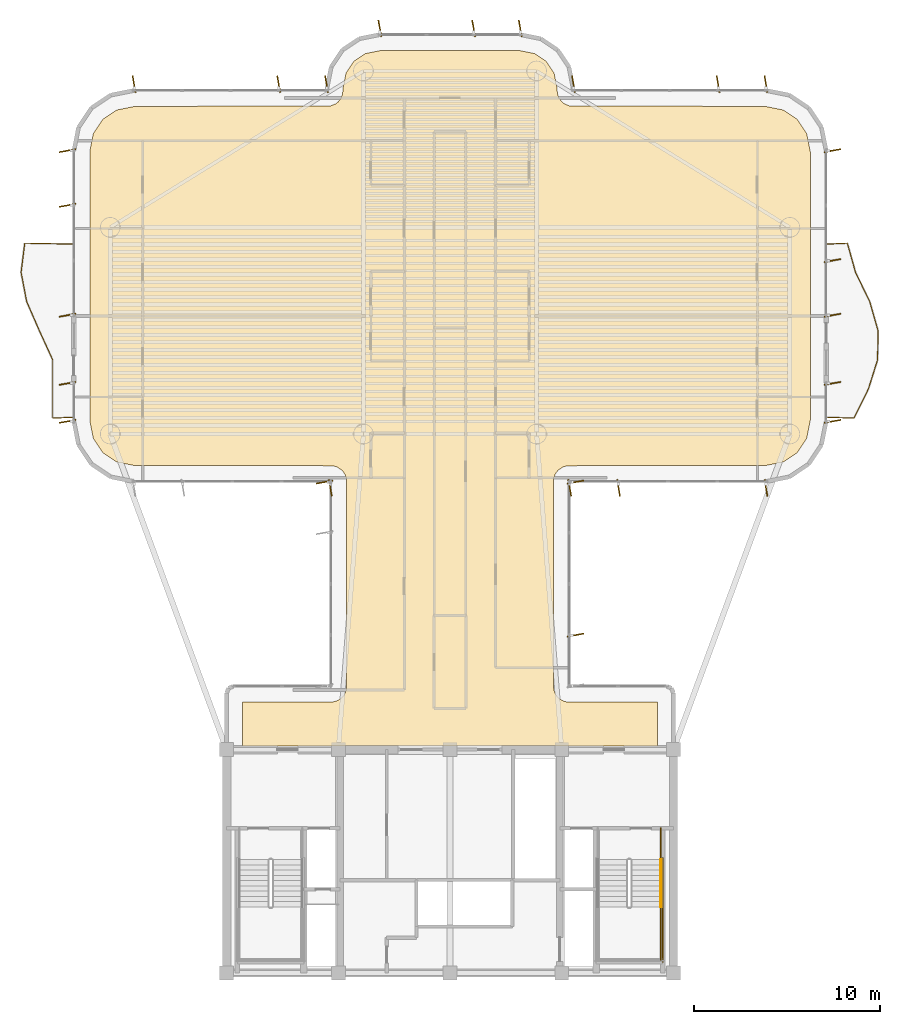
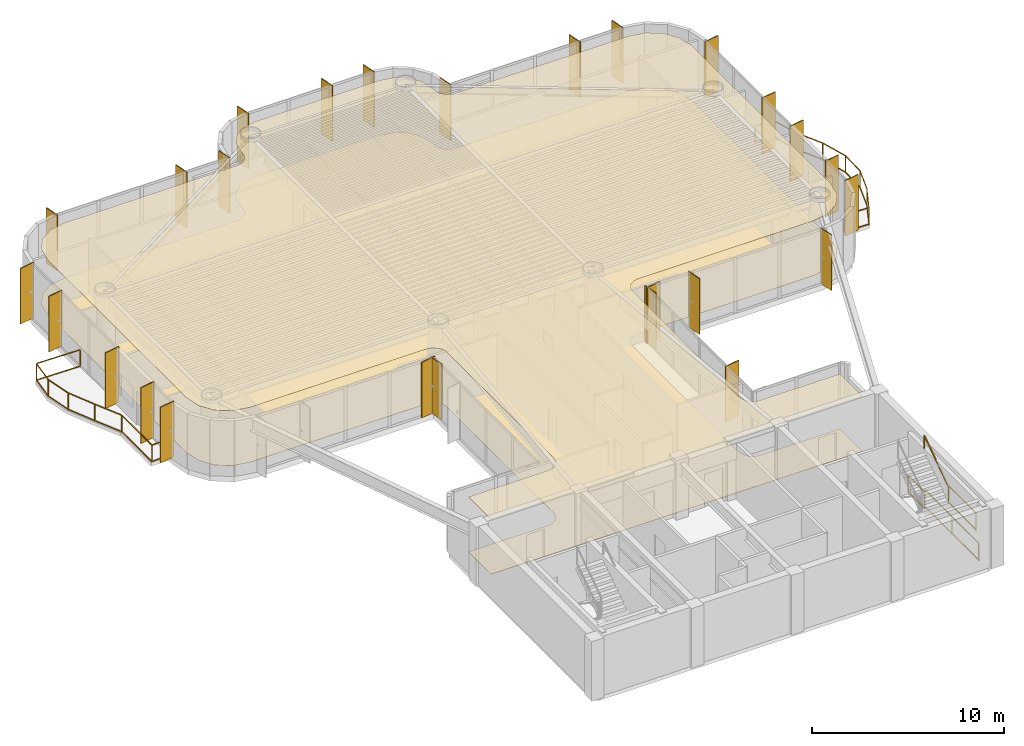
# One storey, part 15 of 15: 26 shading devices, 6 railings, 2 coverings.
"""IFC4 building model written with IfcOpenShell, lengths in metres."""

from ifc_helpers import new_model, si_unit, direction, frame, origin, origin_2d, place, context, subcontext, project, spatial, polyline, rectangle, outline, extrude, source, transform, mapped, material, layer, layer_set, material_profile, profile_set, type_object, element, save


model = new_model("IFC4")

# Units and contexts
model_context = context("Model", 3, precision=1e-05, world=origin(), true_north=direction((0.0, 1.0)))
body_context = subcontext(model_context, "Body", "Model", "MODEL_VIEW")
ifc_project = project(units=[si_unit("LENGTHUNIT", "METRE"), si_unit("AREAUNIT", "SQUARE_METRE"), si_unit("VOLUMEUNIT", "CUBIC_METRE"), si_unit("PLANEANGLEUNIT", "RADIAN"), si_unit("MASSUNIT", "GRAM", prefix="KILO")], contexts=[model_context])

# Site, building, storey
site_placement = place(None, origin())
site = spatial("IfcSite", under=ifc_project, at=site_placement, CompositionType="ELEMENT")
building_placement = place(site_placement, origin())
building = spatial("IfcBuilding", under=site, at=building_placement, Name="Brelvock Crest Care Tower", CompositionType="ELEMENT")
storey_placement = place(building_placement, frame((0.0, 0.0, 156.419921875)))
storey = spatial("IfcBuildingStorey", under=building, at=storey_placement, Name="L39", CompositionType="ELEMENT", Elevation=156.419921875)

# Coverings
ifc_material_1 = material(Name="Mineral Fibre Acoustic Ceiling Tile", Category="gypsum")
ifc_layer_1 = layer(ifc_material_1, 0.02490234375, Name="COV-CLG1")
ifc_layer_set_1 = layer_set([ifc_layer_1], Name="Mineral Fibre Acoustic Ceiling Tile")
covering_type_1 = type_object("IfcCoveringType", Name="COV-CLG1", PredefinedType="CEILING", material=ifc_layer_set_1)
covering_1_placement = place(storey_placement, frame((0.0, 0.0, 3.47509765625)))
element("IfcCovering", 1, at=covering_1_placement, inside=storey, type_object=covering_type_1, Name="L39 Acoustic Suspended Ceiling 1", PredefinedType="CEILING", context=body_context, shape_type="SweptSolid", body=[
    extrude(outline(polyline([(24.85009765625, 18.199951171875), (47.14990234375, 18.199951171875), (47.14990234375, 20.550048828125), (42.316650390625, 20.55419921875), (42.1533203125, 20.586669921875), (41.927734375, 20.693359375), (41.742919921875, 20.86083984375), (41.61474609375, 21.07470703125), (41.550048828125, 21.39990234375), (41.56640625, 32.56591796875), (41.650390625, 32.80078125), (41.799072265625, 33.0009765625), (42.07470703125, 33.185302734375), (42.316650390625, 33.245849609375), (52.916259765625, 33.25), (53.892822265625, 33.4443359375), (54.64990234375, 33.9501953125), (55.15576171875, 34.70703125), (55.35009765625, 35.68359375), (55.35009765625, 50.1162109375), (55.15576171875, 51.093017578125), (54.64990234375, 51.849853515625), (53.892822265625, 52.355712890625), (52.916259765625, 52.550048828125), (42.43408203125, 52.56640625), (42.127685546875, 52.693359375), (41.9990234375, 52.799072265625), (41.850341796875, 52.999267578125), (41.766357421875, 53.234130859375), (41.75, 53.516357421875), (41.586181640625, 54.33984375), (41.1669921875, 54.967041015625), (40.539794921875, 55.38623046875), (39.71630859375, 55.550048828125), (32.28369140625, 55.550048828125), (31.460205078125, 55.38623046875), (30.8330078125, 54.967041015625), (30.413818359375, 54.33984375), (30.25, 53.516357421875), (30.233642578125, 53.234130859375), (30.149658203125, 52.999267578125), (30.0009765625, 52.799072265625), (29.872314453125, 52.693359375), (29.56591796875, 52.56640625), (19.083740234375, 52.550048828125), (18.107177734375, 52.355712890625), (17.35009765625, 51.849853515625), (16.84423828125, 51.093017578125), (16.64990234375, 50.1162109375), (16.64990234375, 35.68359375), (16.84423828125, 34.70703125), (17.35009765625, 33.9501953125), (18.107177734375, 33.4443359375), (19.083740234375, 33.25), (29.683349609375, 33.245849609375), (29.92529296875, 33.185302734375), (30.200927734375, 33.0009765625), (30.349609375, 32.80078125), (30.43359375, 32.56591796875), (30.449951171875, 21.39990234375), (30.38525390625, 21.07470703125), (30.257080078125, 20.86083984375), (30.13916015625, 20.742919921875), (29.92529296875, 20.61474609375), (29.683349609375, 20.55419921875), (24.85009765625, 20.550048828125), (24.85009765625, 18.199951171875)])), origin(), (0.0, 0.0, 1.0), 0.02490234375),
])
ifc_material_2 = material(Name="Slip-Resistant Acoustic Vinyl Flooring", Category="finish")
ifc_layer_2 = layer(ifc_material_2, 0.014892578125, Name="COV-FLR1")
ifc_layer_set_2 = layer_set([ifc_layer_2], Name="Slip-Resistant Acoustic Vinyl Flooring")
covering_type_2 = type_object("IfcCoveringType", Name="COV-FLR1", PredefinedType="FLOORING", material=ifc_layer_set_2)
covering_2_placement = place(storey_placement, origin())
element("IfcCovering", 2, at=covering_2_placement, inside=storey, type_object=covering_type_2, Name="L39 Slip-Resistant Acoustic Flooring 1", PredefinedType="FLOORING", context=body_context, shape_type="SweptSolid", body=[
    extrude(outline(polyline([(24.85009765625, 18.199951171875), (47.14990234375, 18.199951171875), (47.14990234375, 20.550048828125), (42.316650390625, 20.55419921875), (42.1533203125, 20.586669921875), (41.927734375, 20.693359375), (41.742919921875, 20.86083984375), (41.61474609375, 21.07470703125), (41.550048828125, 21.39990234375), (41.56640625, 32.56591796875), (41.650390625, 32.80078125), (41.799072265625, 33.0009765625), (42.07470703125, 33.185302734375), (42.316650390625, 33.245849609375), (52.916259765625, 33.25), (53.892822265625, 33.4443359375), (54.64990234375, 33.9501953125), (55.15576171875, 34.70703125), (55.35009765625, 35.68359375), (55.35009765625, 50.1162109375), (55.15576171875, 51.093017578125), (54.64990234375, 51.849853515625), (53.892822265625, 52.355712890625), (52.916259765625, 52.550048828125), (42.43408203125, 52.56640625), (42.127685546875, 52.693359375), (41.9990234375, 52.799072265625), (41.850341796875, 52.999267578125), (41.766357421875, 53.234130859375), (41.75, 53.516357421875), (41.586181640625, 54.33984375), (41.1669921875, 54.967041015625), (40.539794921875, 55.38623046875), (39.71630859375, 55.550048828125), (32.28369140625, 55.550048828125), (31.460205078125, 55.38623046875), (30.8330078125, 54.967041015625), (30.413818359375, 54.33984375), (30.25, 53.516357421875), (30.233642578125, 53.234130859375), (30.149658203125, 52.999267578125), (30.0009765625, 52.799072265625), (29.872314453125, 52.693359375), (29.56591796875, 52.56640625), (19.083740234375, 52.550048828125), (18.107177734375, 52.355712890625), (17.35009765625, 51.849853515625), (16.84423828125, 51.093017578125), (16.64990234375, 50.1162109375), (16.64990234375, 35.68359375), (16.84423828125, 34.70703125), (17.35009765625, 33.9501953125), (18.107177734375, 33.4443359375), (19.083740234375, 33.25), (29.683349609375, 33.245849609375), (29.92529296875, 33.185302734375), (30.200927734375, 33.0009765625), (30.349609375, 32.80078125), (30.43359375, 32.56591796875), (30.449951171875, 21.39990234375), (30.38525390625, 21.07470703125), (30.257080078125, 20.86083984375), (30.13916015625, 20.742919921875), (29.92529296875, 20.61474609375), (29.683349609375, 20.55419921875), (24.85009765625, 20.550048828125), (24.85009765625, 18.199951171875)])), origin(), (0.0, 0.0, 1.0), 0.01513671875),
])

# Railings
ifc_material_3 = material(Name="Dark Glass Double Glazed Low-E", Category="glass")
ifc_layer_3 = layer(ifc_material_3, 0.06005859375, Name="RL-BAL1")
ifc_layer_set_3 = layer_set([ifc_layer_3], Name="Dark Glass Double Glazed Low-E")
railing_type_1 = type_object("IfcRailingType", Name="RL-BAL1", PredefinedType="BALUSTRADE", material=ifc_layer_set_3)
railing_1_placement = place(storey_placement, frame((15.760009765625, 35.85009765625, 0.004150390625)))
element("IfcRailing", 3, at=railing_1_placement, inside=storey, type_object=railing_type_1, Name="L39 Safety Balustrade WB-W", PredefinedType="BALUSTRADE", context=body_context, shape_type="SweptSolid", body=[
    extrude(rectangle(XDim=0.048095703125, YDim=0.048095703125, at=origin_2d()), frame((-0.001953125, 0.0, 1.09619140625), z_axis=(-0.998966710972, -0.045447886318, 0.0), x_axis=(0.045447886318, -0.998966710972, 0.0)), (0.0, 0.0, 1.0), 1.09716796875),
    extrude(rectangle(XDim=0.048095703125, YDim=0.048095703125, at=origin_2d()), frame((-0.001953125, 0.0, 0.054931640625), z_axis=(-0.998966710972, -0.045447886318, 0.0), x_axis=(0.045447886318, -0.998966710972, 0.0)), (0.0, 0.0, 1.0), 1.09716796875),
    extrude(rectangle(XDim=0.048095703125, YDim=0.048095703125, at=origin_2d()), frame((-1.10009765625, -0.048095703125, 1.09619140625), z_axis=(0.0, 1.0, 0.0), x_axis=(-1.0, 0.0, 0.0)), (0.0, 0.0, 1.0), 3.12939453125),
    extrude(rectangle(XDim=0.048095703125, YDim=0.048095703125, at=origin_2d()), frame((-1.10009765625, -0.048095703125, 0.054931640625), z_axis=(0.0, 1.0, 0.0), x_axis=(-1.0, 0.0, 0.0)), (0.0, 0.0, 1.0), 3.12939453125),
    extrude(rectangle(XDim=0.048095703125, YDim=0.048095703125, at=origin_2d()), frame((-1.100830078125, 3.0849609375, 1.09619140625), z_axis=(-0.415820047344, 0.909446913364, 0.0), x_axis=(-0.909446913364, -0.415820047344, 0.0)), (0.0, 0.0, 1.0), 1.71875),
    extrude(rectangle(XDim=0.048095703125, YDim=0.048095703125, at=origin_2d()), frame((-1.100830078125, 3.0849609375, 0.054931640625), z_axis=(-0.415820047344, 0.909446913364, 0.0), x_axis=(-0.909446913364, -0.415820047344, 0.0)), (0.0, 0.0, 1.0), 1.71875),
    extrude(rectangle(XDim=0.048095703125, YDim=0.048095703125, at=origin_2d()), frame((-1.817138671875, 4.65185546875, 1.09619140625), z_axis=(-0.399446893418, 0.91675633586, 0.0), x_axis=(-0.91675633586, -0.399446893418, 0.0)), (0.0, 0.0, 1.0), 1.704833984375),
    extrude(rectangle(XDim=0.048095703125, YDim=0.048095703125, at=origin_2d()), frame((-1.817138671875, 4.65185546875, 0.054931640625), z_axis=(-0.399446893418, 0.91675633586, 0.0), x_axis=(-0.91675633586, -0.399446893418, 0.0)), (0.0, 0.0, 1.0), 1.704833984375),
    extrude(rectangle(XDim=0.048095703125, YDim=0.048095703125, at=origin_2d()), frame((-2.49951171875, 6.218505859375, 1.09619140625), z_axis=(-0.186922166331, 0.982374726738, 0.0), x_axis=(-0.982374726738, -0.186922166331, 0.0)), (0.0, 0.0, 1.0), 1.5908203125),
    extrude(rectangle(XDim=0.048095703125, YDim=0.048095703125, at=origin_2d()), frame((-2.49951171875, 6.218505859375, 0.054931640625), z_axis=(-0.186922166331, 0.982374726738, 0.0), x_axis=(-0.982374726738, -0.186922166331, 0.0)), (0.0, 0.0, 1.0), 1.5908203125),
    extrude(rectangle(XDim=0.048095703125, YDim=0.048095703125, at=origin_2d()), frame((-2.796875, 7.78515625, 1.09619140625), z_axis=(0.124167953232, 0.992261215301, 0.0), x_axis=(-0.992261215301, 0.124167953232, 0.0)), (0.0, 0.0, 1.0), 1.574951171875),
    extrude(rectangle(XDim=0.048095703125, YDim=0.048095703125, at=origin_2d()), frame((-2.796875, 7.78515625, 0.054931640625), z_axis=(0.124167953232, 0.992261215301, 0.0), x_axis=(-0.992261215301, 0.124167953232, 0.0)), (0.0, 0.0, 1.0), 1.574951171875),
    extrude(rectangle(XDim=0.048095703125, YDim=0.048095703125, at=origin_2d()), frame((-2.59912109375, 9.349853515625, 1.09619140625), z_axis=(0.999814931814, -0.019238038391, 0.0), x_axis=(0.019238038391, 0.999814931814, 0.0)), (0.0, 0.0, 1.0), 2.59765625),
    extrude(rectangle(XDim=0.048095703125, YDim=0.048095703125, at=origin_2d()), frame((-2.59912109375, 9.349853515625, 0.054931640625), z_axis=(0.999814931814, -0.019238038391, 0.0), x_axis=(0.019238038391, 0.999814931814, 0.0)), (0.0, 0.0, 1.0), 2.59765625),
    extrude(rectangle(XDim=0.0419921875, YDim=0.0419921875, at=origin_2d()), origin(), (0.0, 0.0, 1.0), 1.070068359375),
    extrude(rectangle(XDim=0.0419921875, YDim=0.0419921875, at=origin_2d()), frame((-1.10009765625, -0.050048828125, 0.0)), (0.0, 0.0, 1.0), 1.070068359375),
    extrude(rectangle(XDim=0.0419921875, YDim=0.0419921875, at=origin_2d()), frame((-1.10009765625, 3.083251953125, 0.0)), (0.0, 0.0, 1.0), 1.070068359375),
    extrude(rectangle(XDim=0.0419921875, YDim=0.0419921875, at=origin_2d()), frame((-1.81640625, 4.64990234375, 0.0)), (0.0, 0.0, 1.0), 1.070068359375),
    extrude(rectangle(XDim=0.0419921875, YDim=0.0419921875, at=origin_2d()), frame((-2.4990234375, 6.216552734375, 0.0)), (0.0, 0.0, 1.0), 1.070068359375),
    extrude(rectangle(XDim=0.0419921875, YDim=0.0419921875, at=origin_2d()), frame((-2.797119140625, 7.783203125, 0.0)), (0.0, 0.0, 1.0), 1.070068359375),
    extrude(rectangle(XDim=0.0419921875, YDim=0.0419921875, at=origin_2d()), frame((-2.60107421875, 9.349853515625, 0.0)), (0.0, 0.0, 1.0), 1.070068359375),
    extrude(rectangle(XDim=0.0419921875, YDim=0.0419921875, at=origin_2d()), frame((0.0, 9.2998046875, 0.0)), (0.0, 0.0, 1.0), 1.070068359375),
])
railing_2_placement = place(storey_placement, frame((56.239990234375, 35.85009765625, 0.004150390625)))
element("IfcRailing", 4, at=railing_2_placement, inside=storey, type_object=railing_type_1, Name="L39 Safety Balustrade WB-E", PredefinedType="BALUSTRADE", context=body_context, shape_type="SweptSolid", body=[
    extrude(rectangle(XDim=0.048095703125, YDim=0.048095703125, at=origin_2d()), frame((0.001953125, 0.0, 1.09619140625), z_axis=(0.999404799616, -0.034497050669, 0.0), x_axis=(0.034497050669, 0.999404799616, 0.0)), (0.0, 0.0, 1.0), 1.44677734375),
    extrude(rectangle(XDim=0.048095703125, YDim=0.048095703125, at=origin_2d()), frame((0.001953125, 0.0, 0.054931640625), z_axis=(0.999404799616, -0.034497050669, 0.0), x_axis=(0.034497050669, 0.999404799616, 0.0)), (0.0, 0.0, 1.0), 1.44677734375),
    extrude(rectangle(XDim=0.048095703125, YDim=0.048095703125, at=origin_2d()), frame((1.450927734375, -0.04833984375, 1.09619140625), z_axis=(0.44525902638, 0.895401808925, 0.0), x_axis=(-0.895401808925, 0.44525902638, 0.0)), (0.0, 0.0, 1.0), 1.74560546875),
    extrude(rectangle(XDim=0.048095703125, YDim=0.048095703125, at=origin_2d()), frame((1.450927734375, -0.04833984375, 0.054931640625), z_axis=(0.44525902638, 0.895401808925, 0.0), x_axis=(-0.895401808925, 0.44525902638, 0.0)), (0.0, 0.0, 1.0), 1.74560546875),
    extrude(rectangle(XDim=0.048095703125, YDim=0.048095703125, at=origin_2d()), frame((2.2294921875, 1.5185546875, 1.09619140625), z_axis=(0.300533785951, 0.95377116936, 0.0), x_axis=(-0.95377116936, 0.300533785951, 0.0)), (0.0, 0.0, 1.0), 1.638671875),
    extrude(rectangle(XDim=0.048095703125, YDim=0.048095703125, at=origin_2d()), frame((2.2294921875, 1.5185546875, 0.054931640625), z_axis=(0.300533785951, 0.95377116936, 0.0), x_axis=(-0.95377116936, 0.300533785951, 0.0)), (0.0, 0.0, 1.0), 1.638671875),
    extrude(rectangle(XDim=0.048095703125, YDim=0.048095703125, at=origin_2d()), frame((2.72265625, 3.085205078125, 1.09619140625), z_axis=(0.016983680628, 0.999855766895, 0.0), x_axis=(-0.999855766895, 0.016983680628, 0.0)), (0.0, 0.0, 1.0), 1.56298828125),
    extrude(rectangle(XDim=0.048095703125, YDim=0.048095703125, at=origin_2d()), frame((2.72265625, 3.085205078125, 0.054931640625), z_axis=(0.016983680628, 0.999855766895, 0.0), x_axis=(-0.999855766895, 0.016983680628, 0.0)), (0.0, 0.0, 1.0), 1.56298828125),
    extrude(rectangle(XDim=0.048095703125, YDim=0.048095703125, at=origin_2d()), frame((2.748779296875, 4.65185546875, 1.09619140625), z_axis=(-0.275907910991, 0.961184074282, 0.0), x_axis=(-0.961184074282, -0.275907910991, 0.0)), (0.0, 0.0, 1.0), 1.6259765625),
    extrude(rectangle(XDim=0.048095703125, YDim=0.048095703125, at=origin_2d()), frame((2.748779296875, 4.65185546875, 0.054931640625), z_axis=(-0.275907910991, 0.961184074282, 0.0), x_axis=(-0.961184074282, -0.275907910991, 0.0)), (0.0, 0.0, 1.0), 1.6259765625),
    extrude(rectangle(XDim=0.048095703125, YDim=0.048095703125, at=origin_2d()), frame((2.298583984375, 6.21826171875, 1.09619140625), z_axis=(-0.437036809921, 0.899443620675, 0.0), x_axis=(-0.899443620675, -0.437036809921, 0.0)), (0.0, 0.0, 1.0), 1.73779296875),
    extrude(rectangle(XDim=0.048095703125, YDim=0.048095703125, at=origin_2d()), frame((2.298583984375, 6.21826171875, 0.054931640625), z_axis=(-0.437036809921, 0.899443620675, 0.0), x_axis=(-0.899443620675, -0.437036809921, 0.0)), (0.0, 0.0, 1.0), 1.73779296875),
    extrude(rectangle(XDim=0.048095703125, YDim=0.048095703125, at=origin_2d()), frame((1.537841796875, 7.78515625, 1.09619140625), z_axis=(-0.269384986944, 0.963032568924, 0.0), x_axis=(-0.963032568924, -0.269384986944, 0.0)), (0.0, 0.0, 1.0), 1.622802734375),
    extrude(rectangle(XDim=0.048095703125, YDim=0.048095703125, at=origin_2d()), frame((1.537841796875, 7.78515625, 0.054931640625), z_axis=(-0.269384986944, 0.963032568924, 0.0), x_axis=(-0.963032568924, -0.269384986944, 0.0)), (0.0, 0.0, 1.0), 1.622802734375),
    extrude(rectangle(XDim=0.048095703125, YDim=0.048095703125, at=origin_2d()), frame((1.09814453125, 9.349853515625, 1.09619140625), z_axis=(-0.998966710972, -0.045447886318, 0.0), x_axis=(0.045447886318, -0.998966710972, 0.0)), (0.0, 0.0, 1.0), 1.09716796875),
    extrude(rectangle(XDim=0.048095703125, YDim=0.048095703125, at=origin_2d()), frame((1.09814453125, 9.349853515625, 0.054931640625), z_axis=(-0.998966710972, -0.045447886318, 0.0), x_axis=(0.045447886318, -0.998966710972, 0.0)), (0.0, 0.0, 1.0), 1.09716796875),
    extrude(rectangle(XDim=0.0419921875, YDim=0.0419921875, at=origin_2d()), origin(), (0.0, 0.0, 1.0), 1.070068359375),
    extrude(rectangle(XDim=0.0419921875, YDim=0.0419921875, at=origin_2d()), frame((1.449951171875, -0.050048828125, 0.0)), (0.0, 0.0, 1.0), 1.070068359375),
    extrude(rectangle(XDim=0.0419921875, YDim=0.0419921875, at=origin_2d()), frame((2.22900390625, 1.5166015625, 0.0)), (0.0, 0.0, 1.0), 1.070068359375),
    extrude(rectangle(XDim=0.0419921875, YDim=0.0419921875, at=origin_2d()), frame((2.72265625, 3.083251953125, 0.0)), (0.0, 0.0, 1.0), 1.070068359375),
    extrude(rectangle(XDim=0.0419921875, YDim=0.0419921875, at=origin_2d()), frame((2.749267578125, 4.64990234375, 0.0)), (0.0, 0.0, 1.0), 1.070068359375),
    extrude(rectangle(XDim=0.0419921875, YDim=0.0419921875, at=origin_2d()), frame((2.299560546875, 6.216552734375, 0.0)), (0.0, 0.0, 1.0), 1.070068359375),
    extrude(rectangle(XDim=0.0419921875, YDim=0.0419921875, at=origin_2d()), frame((1.538330078125, 7.783203125, 0.0)), (0.0, 0.0, 1.0), 1.070068359375),
    extrude(rectangle(XDim=0.0419921875, YDim=0.0419921875, at=origin_2d()), frame((1.10009765625, 9.349853515625, 0.0)), (0.0, 0.0, 1.0), 1.070068359375),
    extrude(rectangle(XDim=0.0419921875, YDim=0.0419921875, at=origin_2d()), frame((0.0, 9.2998046875, 0.0)), (0.0, 0.0, 1.0), 1.070068359375),
])
ifc_material_4 = material(Name="Steel Grade 350", Category="steel")
ifc_layer_4 = layer(ifc_material_4, 0.050048828125, Name="RL-STG1")
ifc_layer_set_4 = layer_set([ifc_layer_4], Name="Steel Grade 350")
railing_type_2 = type_object("IfcRailingType", Name="RL-STG1", PredefinedType="GUARDRAIL", material=ifc_layer_set_4)
railing_3_placement = place(storey_placement, frame((47.320068359375, 9.56005859375, 1.89013671875)))
element("IfcRailing", 5, at=railing_3_placement, inside=storey, type_object=railing_type_2, Name="L39 ST-2 stair guard 4", PredefinedType="GUARDRAIL", context=body_context, shape_type="SweptSolid", body=[
    extrude(rectangle(XDim=0.048095703125, YDim=0.048095703125, at=origin_2d()), frame((0.0, -0.001953125, 1.11572265625), z_axis=(0.0, -1.0, 0.0), x_axis=(1.0, 0.0, 0.0)), (0.0, 0.0, 1.0), 2.856201171875),
    extrude(rectangle(XDim=0.048095703125, YDim=0.048095703125, at=origin_2d()), frame((0.0, -0.001953125, 0.054931640625), z_axis=(0.0, -1.0, 0.0), x_axis=(1.0, 0.0, 0.0)), (0.0, 0.0, 1.0), 2.856201171875),
    extrude(rectangle(XDim=0.0419921875, YDim=0.0419921875, at=origin_2d()), origin(), (0.0, 0.0, 1.0), 1.08984375),
    extrude(rectangle(XDim=0.0419921875, YDim=0.0419921875, at=origin_2d()), frame((0.0, -2.860107421875, 0.0)), (0.0, 0.0, 1.0), 1.08984375),
])
railing_4_placement = place(storey_placement, frame((47.320068359375, 13.780029296875, 0.0)))
element("IfcRailing", 6, at=railing_4_placement, inside=storey, type_object=railing_type_2, Name="L39 ST-2 stair guard 9", PredefinedType="GUARDRAIL", context=body_context, shape_type="SweptSolid", body=[
    extrude(rectangle(XDim=0.048095703125, YDim=0.048095703125, at=origin_2d()), frame((0.0, -0.001953125, 1.11572265625), z_axis=(0.0, -1.0, 0.0), x_axis=(1.0, 0.0, 0.0)), (0.0, 0.0, 1.0), 1.696044921875),
    extrude(rectangle(XDim=0.048095703125, YDim=0.048095703125, at=origin_2d()), frame((0.0, -0.001953125, 0.054931640625), z_axis=(0.0, -1.0, 0.0), x_axis=(1.0, 0.0, 0.0)), (0.0, 0.0, 1.0), 1.696044921875),
    extrude(rectangle(XDim=0.0419921875, YDim=0.0419921875, at=origin_2d()), origin(), (0.0, 0.0, 1.0), 1.08984375),
    extrude(rectangle(XDim=0.0419921875, YDim=0.0419921875, at=origin_2d()), frame((0.0, -1.699951171875, 0.0)), (0.0, 0.0, 1.0), 1.08984375),
])
railing_5_placement = place(storey_placement, frame((47.419921875, 12.179931640625, 0.0)))
element("IfcRailing", 7, at=railing_5_placement, inside=storey, type_object=railing_type_2, Name="L39 ST-2 stair guard 11", PredefinedType="GUARDRAIL", context=body_context, shape_type="SweptSolid", body=[
    extrude(rectangle(XDim=0.048095703125, YDim=0.048095703125, at=origin_2d()), frame((0.0, -0.001953125, 1.11572265625), z_axis=(0.0, -1.0, 0.0), x_axis=(1.0, 0.0, 0.0)), (0.0, 0.0, 1.0), 5.575927734375),
    extrude(rectangle(XDim=0.048095703125, YDim=0.048095703125, at=origin_2d()), frame((0.0, -0.001953125, 0.054931640625), z_axis=(0.0, -1.0, 0.0), x_axis=(1.0, 0.0, 0.0)), (0.0, 0.0, 1.0), 5.575927734375),
    extrude(rectangle(XDim=0.0419921875, YDim=0.0419921875, at=origin_2d()), origin(), (0.0, 0.0, 1.0), 1.08984375),
    extrude(rectangle(XDim=0.0419921875, YDim=0.0419921875, at=origin_2d()), frame((0.0, -2.7900390625, 0.0)), (0.0, 0.0, 1.0), 1.08984375),
    extrude(rectangle(XDim=0.0419921875, YDim=0.0419921875, at=origin_2d()), frame((0.0, -5.579833984375, 0.0)), (0.0, 0.0, 1.0), 1.08984375),
])
ifc_layer_5 = layer(ifc_material_4, 0.048095703125, Name="RL-STH1")
ifc_layer_set_5 = layer_set([ifc_layer_5], Name="Steel Grade 350")
railing_type_3 = type_object("IfcRailingType", Name="RL-STH1", PredefinedType="HANDRAIL", material=ifc_layer_set_5)
railing_6_placement = place(storey_placement, frame((47.320068359375, 9.56005859375, 2.0791015625)))
element("IfcRailing", 8, at=railing_6_placement, inside=storey, type_object=railing_type_3, Name="L39 ST-2 stair handrail 2", PredefinedType="HANDRAIL", context=body_context, shape_type="SweptSolid", body=[
    extrude(rectangle(XDim=0.048095703125, YDim=0.048095703125, at=origin_2d()), frame((0.0, 0.001708984375, 0.876953125), z_axis=(0.0, 0.828861706735, 0.559453546873), x_axis=(-1.0, 0.0, 0.0)), (0.0, 0.0, 1.0), 3.036376953125),
    extrude(rectangle(XDim=0.0419921875, YDim=0.0419921875, at=origin_2d()), origin(), (0.0, 0.0, 1.0), 0.849853515625),
    extrude(rectangle(XDim=0.0419921875, YDim=0.0419921875, at=origin_2d()), frame((0.0, 2.52001953125, 1.700927734375)), (0.0, 0.0, 1.0), 0.849853515625),
])

# Shading devices
ifc_material_5 = material(Name="Aluminium 6063-T6", Category="aluminium")
ifc_material_profile = material_profile(ifc_material_5, rectangle(XDim=0.054931640625, YDim=0.89990234375, at=origin_2d()), Name="FIN55x900")
ifc_profile_set = profile_set([ifc_material_profile], Name="Aluminium 6063-T6")
shading_device_type = type_object("IfcShadingDeviceType", Name="SHD-FIN1", PredefinedType="USERDEFINED", material=ifc_profile_set)
shared_shape = source(origin(), body_context, "Body", "SweptSolid", [
    extrude(rectangle(XDim=0.054931640625, YDim=0.89990234375, at=origin_2d()), origin(), (0.0, 0.0, 1.0), 3.530029296875),
])
for number, where, z_axis, x_axis, name in (
    (9, (29.260009765625, 32.3701171875, 0.0), (0.0, 0.0, 1.0), (-0.173648177667, 0.984807753012, 0.0), "L39 Vertical Sunshade Fin E11-05"),
    (10, (29.570068359375, 32.06005859375, 0.0), (0.0, 0.0, 1.0), (-0.984807753012, -0.173648177667, 0.0), "L39 Vertical Sunshade Fin E12-01"),
    (11, (15.4599609375, 35.6298828125, 0.0), (0.0, 0.0, 1.0), (-0.173648177667, 0.984807753012, 0.0), "L39 Vertical Sunshade Fin E17A-01"),
    (12, (15.4599609375, 37.669921875, 0.0), (0.0, 0.0, 1.0), (-0.173648177667, 0.984807753012, 0.0), "L39 Vertical Sunshade Fin E17A-02"),
    (13, (15.4599609375, 41.330078125, 0.0), (0.0, 0.0, 1.0), (-0.173648177667, 0.984807753012, 0.0), "L39 Vertical Sunshade Fin E17B-01"),
    (14, (15.4599609375, 47.2333984375, 0.0), (0.0, 0.0, 1.0), (-0.173648177667, 0.984807753012, 0.0), "L39 Vertical Sunshade Fin E17B-03"),
    (15, (15.4599609375, 50.169921875, 0.0), (0.0, 0.0, 1.0), (-0.173648177667, 0.984807753012, 0.0), "L39 Vertical Sunshade Fin E17B-04"),
    (16, (19.030029296875, 53.739990234375, 0.0), (0.0, 0.0, 1.0), (0.984807753012, 0.173648177667, 0.0), "L39 Vertical Sunshade Fin E22-01"),
    (17, (26.800048828125, 53.739990234375, 0.0), (0.0, 0.0, 1.0), (0.984807753012, 0.173648177667, 0.0), "L39 Vertical Sunshade Fin E22-04"),
    (18, (29.3701171875, 53.739990234375, 0.0), (0.0, 0.0, 1.0), (0.984807753012, 0.173648177667, 0.0), "L39 Vertical Sunshade Fin E22-05"),
    (19, (32.22998046875, 56.739990234375, 0.0), (0.0, 0.0, 1.0), (0.984807753012, 0.173648177667, 0.0), "L39 Vertical Sunshade Fin E28-01"),
    (20, (37.2666015625, 56.739990234375, 0.0), (0.0, 0.0, 1.0), (0.984807753012, 0.173648177667, 0.0), "L39 Vertical Sunshade Fin E28-03"),
    (21, (39.77001953125, 56.739990234375, 0.0), (0.0, 0.0, 1.0), (0.984807753012, 0.173648177667, 0.0), "L39 Vertical Sunshade Fin E28-04"),
    (22, (42.6298828125, 53.739990234375, 0.0), (0.0, 0.0, 1.0), (0.984807753012, 0.173648177667, 0.0), "L39 Vertical Sunshade Fin E34-01"),
    (23, (50.39990234375, 53.739990234375, 0.0), (0.0, 0.0, 1.0), (0.984807753012, 0.173648177667, 0.0), "L39 Vertical Sunshade Fin E34-04"),
    (24, (52.969970703125, 53.739990234375, 0.0), (0.0, 0.0, 1.0), (0.984807753012, 0.173648177667, 0.0), "L39 Vertical Sunshade Fin E34-05"),
    (25, (56.5400390625, 50.169921875, 0.0), (0.0, 0.0, 1.0), (0.173648177667, -0.984807753012, 0.0), "L39 Vertical Sunshade Fin E39A-01"),
    (26, (56.5400390625, 44.2666015625, 0.0), (0.0, 0.0, 1.0), (0.173648177667, -0.984807753012, 0.0), "L39 Vertical Sunshade Fin E39A-03"),
    (27, (56.5400390625, 41.330078125, 0.0), (0.0, 0.0, 1.0), (0.173648177667, -0.984807753012, 0.0), "L39 Vertical Sunshade Fin E39A-04"),
    (28, (56.5400390625, 37.669921875, 0.0), (0.0, 0.0, 1.0), (0.173648177667, -0.984807753012, 0.0), "L39 Vertical Sunshade Fin E39B-01"),
    (29, (56.5400390625, 35.6298828125, 0.0), (0.0, 0.0, 1.0), (0.173648177667, -0.984807753012, 0.0), "L39 Vertical Sunshade Fin E39B-02"),
    (30, (52.969970703125, 32.06005859375, 0.0), (0.0, 0.0, 1.0), (-0.984807753012, -0.173648177667, 0.0), "L39 Vertical Sunshade Fin E44-01"),
    (31, (45.050048828125, 32.06005859375, 0.0), (0.0, 0.0, 1.0), (-0.984807753012, -0.173648177667, 0.0), "L39 Vertical Sunshade Fin E44-04"),
    (32, (42.429931640625, 32.06005859375, 0.0), (0.0, 0.0, 1.0), (-0.984807753012, -0.173648177667, 0.0), "L39 Vertical Sunshade Fin E44-05"),
    (33, (42.739990234375, 32.3701171875, 0.0), (0.0, 0.0, 1.0), (0.173648177667, -0.984807753012, 0.0), "L39 Vertical Sunshade Fin E45-01"),
    (34, (42.739990234375, 24.14990234375, 0.0), (0.0, 0.0, 1.0), (0.173648177667, -0.984807753012, 0.0), "L39 Vertical Sunshade Fin E45-04"),
):
    element("IfcShadingDevice", number, at=place(storey_placement, frame(where, z_axis=z_axis, x_axis=x_axis)), inside=storey, type_object=shading_device_type, Name=name, ObjectType="FIN", PredefinedType="USERDEFINED", context=body_context, shape_type="MappedRepresentation", body=[
        mapped(shared_shape, transform((0.0, 0.0, 0.0), x_axis=(1.0, 0.0, 0.0), y_axis=(0.0, 1.0, 0.0), z_axis=(0.0, 0.0, 1.0), scale=1.0)),
    ])

save(model, "model.ifc")
